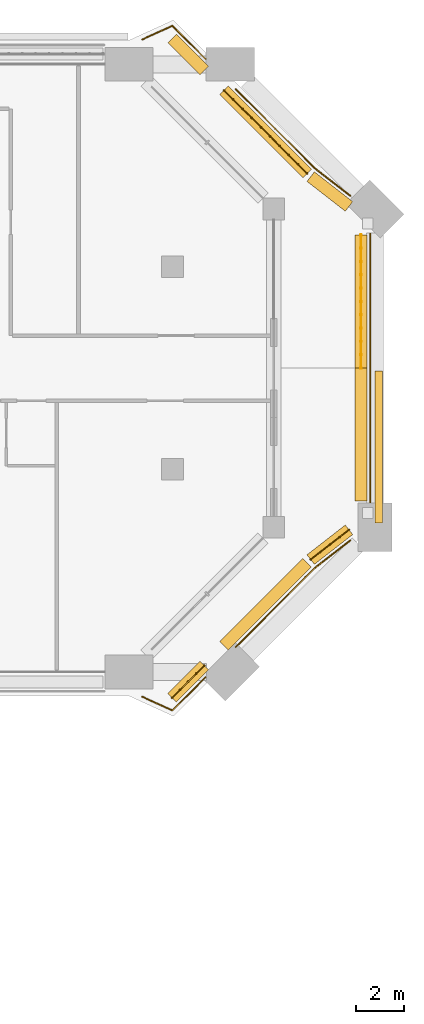
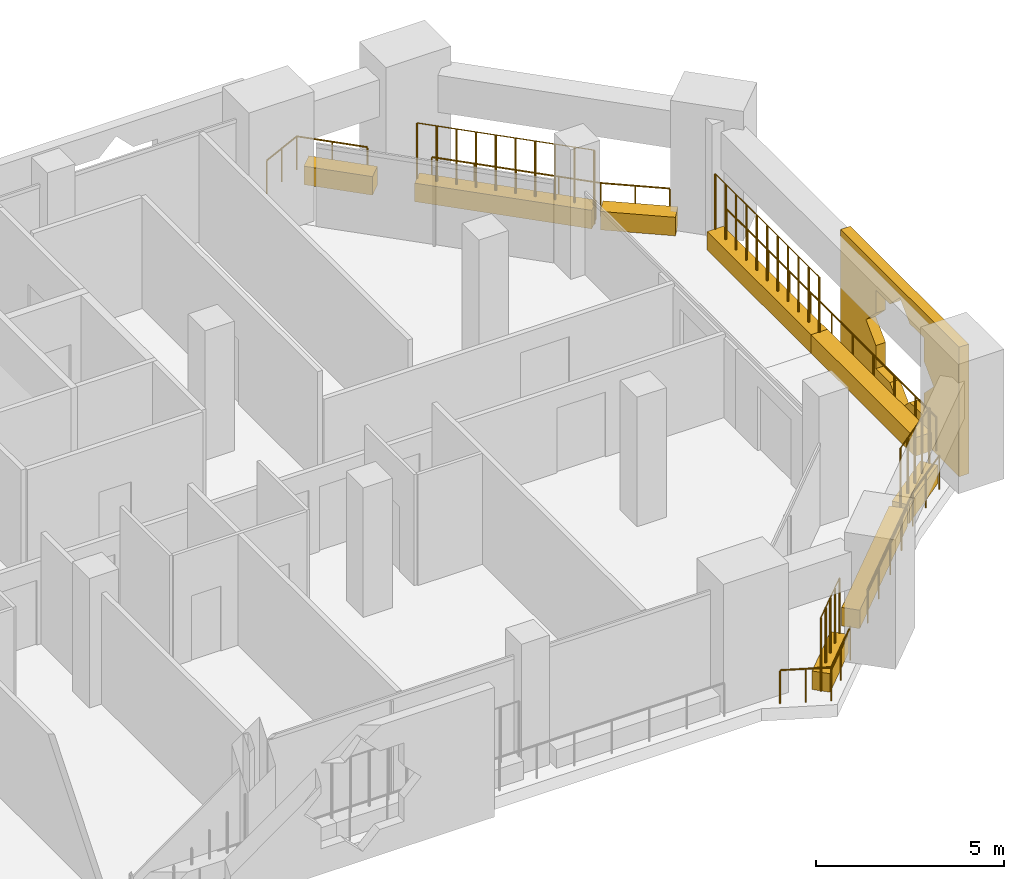
# One storey, part 21 of 21: 9 coverings, 9 railings.
"""IFC4 building model written with IfcOpenShell, lengths in metres."""

from ifc_helpers import new_model, si_unit, direction, frame, origin, origin_2d, place, context, subcontext, project, spatial, polyline, rectangle, circle, outline, extrude, material, material_profile, profile_set, type_object, element, save


model = new_model("IFC4")

# Units and contexts
model_context = context("Model", 3, precision=1e-05, world=origin(), true_north=direction((0.0, 1.0)))
body_context = subcontext(model_context, "Body", "Model", "MODEL_VIEW")
ifc_project = project(units=[si_unit("LENGTHUNIT", "METRE"), si_unit("AREAUNIT", "SQUARE_METRE"), si_unit("VOLUMEUNIT", "CUBIC_METRE"), si_unit("PLANEANGLEUNIT", "RADIAN"), si_unit("MASSUNIT", "GRAM", prefix="KILO")], contexts=[model_context])

# Site, building, storey
site_placement = place(None, origin())
site = spatial("IfcSite", under=ifc_project, at=site_placement, CompositionType="ELEMENT")
building_placement = place(site_placement, origin())
building = spatial("IfcBuilding", under=site, at=building_placement, Name="Kawkab Arch Medical Tower", CompositionType="ELEMENT")
storey_placement = place(building_placement, frame((0.0, 0.0, 234.800048828125)))
storey = spatial("IfcBuildingStorey", under=building, at=storey_placement, Name="L54", CompositionType="ELEMENT", Elevation=234.800048828125)

# Railings
ifc_material_1 = material(Name="Bronze anodised aluminium guard", Category="aluminium")
railing_type_1 = type_object("IfcRailingType", Name="Loggia and terrace guard 1100", PredefinedType="GUARDRAIL", material=ifc_material_1)
railing_1_placement = place(storey_placement, frame((57.548095703125, 1.030029296875, 0.0)))
element("IfcRailing", 1, at=railing_1_placement, inside=storey, type_object=railing_type_1, Name="Guard L54.LOG-01.1.2", PredefinedType="GUARDRAIL", context=body_context, shape_type="SweptSolid", body=[
    extrude(circle(Radius=0.02392578125, at=origin_2d()), frame((0.0, 0.0, 1.076171875), z_axis=(0.910054984483, 0.414487545312, 0.0), x_axis=(-0.414487545312, 0.910054984483, 0.0)), (0.0, 0.0, 1.0), 1.3701171875),
    extrude(circle(Radius=0.02392578125, at=origin_2d()), frame((1.246826171875, 0.56787109375, 1.076171875), z_axis=(0.707106781187, -0.707106781187, 0.0), x_axis=(0.707106781187, 0.707106781187, 0.0)), (0.0, 0.0, 1.0), 1.944580078125),
    extrude(circle(Radius=0.02099609375, at=origin_2d()), origin(), (0.0, 0.0, 1.0), 1.052001953125),
    extrude(circle(Radius=0.02099609375, at=origin_2d()), frame((0.62353515625, 0.283935546875, 0.0)), (0.0, 0.0, 1.0), 1.052001953125),
    extrude(circle(Radius=0.02099609375, at=origin_2d()), frame((1.246826171875, 0.56787109375, 0.0)), (0.0, 0.0, 1.0), 1.052001953125),
    extrude(circle(Radius=0.02099609375, at=origin_2d()), frame((1.934326171875, -0.11962890625, 0.0)), (0.0, 0.0, 1.0), 1.052001953125),
    extrude(circle(Radius=0.02099609375, at=origin_2d()), frame((2.621826171875, -0.80712890625, 0.0)), (0.0, 0.0, 1.0), 1.052001953125),
])
railing_2_placement = place(storey_placement, frame((61.423095703125, -1.030029296875, 0.0)))
element("IfcRailing", 2, at=railing_2_placement, inside=storey, type_object=railing_type_1, Name="Guard L54.LOG-01.1.3", PredefinedType="GUARDRAIL", context=body_context, shape_type="SweptSolid", body=[
    extrude(circle(Radius=0.02392578125, at=origin_2d()), frame((0.0, 0.0, 1.076171875), z_axis=(0.707106781187, -0.707106781187, 0.0), x_axis=(0.707106781187, 0.707106781187, 0.0)), (0.0, 0.0, 1.0), 4.641357421875),
    extrude(circle(Radius=0.02392578125, at=origin_2d()), frame((3.281982421875, -3.281982421875, 1.076171875), z_axis=(0.789203459714, -0.614131825568, 0.0), x_axis=(0.614131825568, 0.789203459714, 0.0)), (0.0, 0.0, 1.0), 1.856201171875),
    extrude(circle(Radius=0.02099609375, at=origin_2d()), origin(), (0.0, 0.0, 1.0), 1.052001953125),
    extrude(circle(Radius=0.02099609375, at=origin_2d()), frame((0.820556640625, -0.820556640625, 0.0)), (0.0, 0.0, 1.0), 1.052001953125),
    extrude(circle(Radius=0.02099609375, at=origin_2d()), frame((1.64111328125, -1.64111328125, 0.0)), (0.0, 0.0, 1.0), 1.052001953125),
    extrude(circle(Radius=0.02099609375, at=origin_2d()), frame((2.46142578125, -2.46142578125, 0.0)), (0.0, 0.0, 1.0), 1.052001953125),
    extrude(circle(Radius=0.02099609375, at=origin_2d()), frame((3.281982421875, -3.281982421875, 0.0)), (0.0, 0.0, 1.0), 1.052001953125),
    extrude(circle(Radius=0.02099609375, at=origin_2d()), frame((4.014404296875, -3.85205078125, 0.0)), (0.0, 0.0, 1.0), 1.052001953125),
    extrude(circle(Radius=0.02099609375, at=origin_2d()), frame((4.746826171875, -4.421875, 0.0)), (0.0, 0.0, 1.0), 1.052001953125),
])
railing_3_placement = place(storey_placement, frame((67.0, -7.030029296875, 0.0)))
element("IfcRailing", 3, at=railing_3_placement, inside=storey, type_object=railing_type_1, Name="Guard L54.LOG-01.1.4", PredefinedType="GUARDRAIL", context=body_context, shape_type="SweptSolid", body=[
    extrude(circle(Radius=0.02392578125, at=origin_2d()), frame((0.0, 0.0, 1.076171875), z_axis=(0.0, -1.0, 0.0), x_axis=(1.0, 0.0, 0.0)), (0.0, 0.0, 1.0), 11.139892578125),
    extrude(circle(Radius=0.02099609375, at=origin_2d()), origin(), (0.0, 0.0, 1.0), 1.052001953125),
    extrude(circle(Radius=0.02099609375, at=origin_2d()), frame((0.0, -1.114013671875, 0.0)), (0.0, 0.0, 1.0), 1.052001953125),
    extrude(circle(Radius=0.02099609375, at=origin_2d()), frame((0.0, -2.22802734375, 0.0)), (0.0, 0.0, 1.0), 1.052001953125),
    extrude(circle(Radius=0.02099609375, at=origin_2d()), frame((0.0, -3.342041015625, 0.0)), (0.0, 0.0, 1.0), 1.052001953125),
    extrude(circle(Radius=0.02099609375, at=origin_2d()), frame((0.0, -4.4560546875, 0.0)), (0.0, 0.0, 1.0), 1.052001953125),
    extrude(circle(Radius=0.02099609375, at=origin_2d()), frame((0.0, -5.56982421875, 0.0)), (0.0, 0.0, 1.0), 1.052001953125),
    extrude(circle(Radius=0.02099609375, at=origin_2d()), frame((0.0, -6.683837890625, 0.0)), (0.0, 0.0, 1.0), 1.052001953125),
    extrude(circle(Radius=0.02099609375, at=origin_2d()), frame((0.0, -7.7978515625, 0.0)), (0.0, 0.0, 1.0), 1.052001953125),
    extrude(circle(Radius=0.02099609375, at=origin_2d()), frame((0.0, -8.911865234375, 0.0)), (0.0, 0.0, 1.0), 1.052001953125),
    extrude(circle(Radius=0.02099609375, at=origin_2d()), frame((0.0, -10.02587890625, 0.0)), (0.0, 0.0, 1.0), 1.052001953125),
    extrude(circle(Radius=0.02099609375, at=origin_2d()), frame((0.0, -11.139892578125, 0.0)), (0.0, 0.0, 1.0), 1.052001953125),
])
railing_4_placement = place(storey_placement, frame((66.169921875, -19.748046875, 0.0)))
element("IfcRailing", 4, at=railing_4_placement, inside=storey, type_object=railing_type_1, Name="Guard L54.LOG-01.1.5", PredefinedType="GUARDRAIL", context=body_context, shape_type="SweptSolid", body=[
    extrude(circle(Radius=0.02392578125, at=origin_2d()), frame((0.0, 0.0, 1.076171875), z_axis=(-0.789203459714, -0.614131825568, 0.0), x_axis=(0.614131825568, -0.789203459714, 0.0)), (0.0, 0.0, 1.0), 1.856201171875),
    extrude(circle(Radius=0.02392578125, at=origin_2d()), frame((-1.46484375, -1.139892578125, 1.076171875), z_axis=(-0.707106781187, -0.707106781187, 0.0), x_axis=(0.707106781187, -0.707106781187, 0.0)), (0.0, 0.0, 1.0), 4.641357421875),
    extrude(circle(Radius=0.02099609375, at=origin_2d()), origin(), (0.0, 0.0, 1.0), 1.052001953125),
    extrude(circle(Radius=0.02099609375, at=origin_2d()), frame((-0.732421875, -0.56982421875, 0.0)), (0.0, 0.0, 1.0), 1.052001953125),
    extrude(circle(Radius=0.02099609375, at=origin_2d()), frame((-1.46484375, -1.139892578125, 0.0)), (0.0, 0.0, 1.0), 1.052001953125),
    extrude(circle(Radius=0.02099609375, at=origin_2d()), frame((-2.285400390625, -1.96044921875, 0.0)), (0.0, 0.0, 1.0), 1.052001953125),
    extrude(circle(Radius=0.02099609375, at=origin_2d()), frame((-3.10595703125, -2.78076171875, 0.0)), (0.0, 0.0, 1.0), 1.052001953125),
    extrude(circle(Radius=0.02099609375, at=origin_2d()), frame((-3.92626953125, -3.601318359375, 0.0)), (0.0, 0.0, 1.0), 1.052001953125),
    extrude(circle(Radius=0.02099609375, at=origin_2d()), frame((-4.746826171875, -4.421875, 0.0)), (0.0, 0.0, 1.0), 1.052001953125),
])
railing_5_placement = place(storey_placement, frame((60.169921875, -25.423095703125, 0.0)))
element("IfcRailing", 5, at=railing_5_placement, inside=storey, type_object=railing_type_1, Name="Guard L54.LOG-01.1.6", PredefinedType="GUARDRAIL", context=body_context, shape_type="SweptSolid", body=[
    extrude(circle(Radius=0.02392578125, at=origin_2d()), frame((0.0, 0.0, 1.076171875), z_axis=(-0.707106781187, -0.707106781187, 0.0), x_axis=(0.707106781187, -0.707106781187, 0.0)), (0.0, 0.0, 1.0), 1.944580078125),
    extrude(circle(Radius=0.02392578125, at=origin_2d()), frame((-1.375, -1.375, 1.076171875), z_axis=(-0.909987760209, 0.4146351122, 0.0), x_axis=(-0.4146351122, -0.909987760209, 0.0)), (0.0, 0.0, 1.0), 1.3701171875),
    extrude(circle(Radius=0.02099609375, at=origin_2d()), origin(), (0.0, 0.0, 1.0), 1.052001953125),
    extrude(circle(Radius=0.02099609375, at=origin_2d()), frame((-0.6875, -0.6875, 0.0)), (0.0, 0.0, 1.0), 1.052001953125),
    extrude(circle(Radius=0.02099609375, at=origin_2d()), frame((-1.375, -1.375, 0.0)), (0.0, 0.0, 1.0), 1.052001953125),
    extrude(circle(Radius=0.02099609375, at=origin_2d()), frame((-1.99853515625, -1.0908203125, 0.0)), (0.0, 0.0, 1.0), 1.052001953125),
    extrude(circle(Radius=0.02099609375, at=origin_2d()), frame((-2.621826171875, -0.806884765625, 0.0)), (0.0, 0.0, 1.0), 1.052001953125),
])

# Coverings
ifc_material_2 = material(Name="Bronze anodised aluminium mashrabiya panel, eight-point star pattern", Category="aluminium")
ifc_material_profile_1 = material_profile(ifc_material_2, outline(polyline([(-3.14990234375, -2.10009765625), (3.14990234375, -2.10009765625), (3.14990234375, 2.10009765625), (-3.14990234375, 2.10009765625), (-3.14990234375, -2.10009765625)]), holes=[polyline([(1.800048828125, 0.0), (1.272705078125, 0.527099609375), (1.272705078125, 1.272705078125), (0.527099609375, 1.272705078125), (0.0, 1.800048828125), (-0.527099609375, 1.272705078125), (-1.272705078125, 1.272705078125), (-1.272705078125, 0.527099609375), (-1.800048828125, 0.0), (-1.272705078125, -0.527099609375), (-1.272705078125, -1.272705078125), (-0.527099609375, -1.272705078125), (0.0, -1.800048828125), (0.527099609375, -1.272705078125), (1.272705078125, -1.272705078125), (1.272705078125, -0.527099609375), (1.800048828125, 0.0)])]), Name="Mashrabiya panel 6300x4200")
ifc_profile_set_1 = profile_set([ifc_material_profile_1], Name="Bronze anodised aluminium mashrabiya panel, eight-point star pattern")
covering_type_1 = type_object("IfcCoveringType", Name="Mashrabiya panel 6300 x 4200", PredefinedType="USERDEFINED", material=ifc_profile_set_1)
covering_1_placement = place(storey_placement, frame((67.199951171875, -15.877685546875, 1.699951171875), z_axis=(1.0, 0.0, 0.0), x_axis=(0.0, 1.0, 0.0)))
element("IfcCovering", 6, at=covering_1_placement, inside=storey, type_object=covering_type_1, Name="Mashrabiya panel L54.LOG-01-01.9", ObjectType="SCREEN", PredefinedType="USERDEFINED", context=body_context, shape_type="SweptSolid", body=[
    extrude(outline(polyline([(-3.14990234375, -2.10009765625), (3.14990234375, -2.10009765625), (3.14990234375, 2.10009765625), (-3.14990234375, 2.10009765625), (-3.14990234375, -2.10009765625)]), holes=[polyline([(1.800048828125, 0.0), (1.272705078125, 0.527099609375), (1.272705078125, 1.272705078125), (0.527099609375, 1.272705078125), (0.0, 1.800048828125), (-0.527099609375, 1.272705078125), (-1.272705078125, 1.272705078125), (-1.272705078125, 0.527099609375), (-1.800048828125, 0.0), (-1.272705078125, -0.527099609375), (-1.272705078125, -1.272705078125), (-0.527099609375, -1.272705078125), (0.0, -1.800048828125), (0.527099609375, -1.272705078125), (1.272705078125, -1.272705078125), (1.272705078125, -0.527099609375), (1.800048828125, 0.0)])]), origin(), (0.0, 0.0, 1.0), 0.300048828125),
])
ifc_material_3 = material(Name="Planting soil in a precast trough", Category="concrete")
ifc_material_profile_2 = material_profile(ifc_material_3, rectangle(XDim=0.5, YDim=0.60009765625, at=origin_2d()), Name="Trough 500x600")
ifc_profile_set_2 = profile_set([ifc_material_profile_2], Name="Planting soil in a precast trough")
covering_type_2 = type_object("IfcCoveringType", Name="Planter trough 500 x 600", PredefinedType="USERDEFINED", material=ifc_profile_set_2)
covering_2_placement = place(storey_placement, frame((58.782958984375, 1.072998046875, 0.300048828125), z_axis=(0.707171336514, -0.707042219965, 0.0), x_axis=(0.707042219965, 0.707171336514, 0.0)))
element("IfcCovering", 7, at=covering_2_placement, inside=storey, type_object=covering_type_2, Name="Planter L54.LOG-01-01.24", ObjectType="PLANTER", PredefinedType="USERDEFINED", context=body_context, shape_type="SweptSolid", body=[
    extrude(rectangle(XDim=0.5, YDim=0.60009765625, at=origin_2d()), origin(), (0.0, 0.0, 1.0), 1.890869140625),
])
covering_3_placement = place(storey_placement, frame((60.93603515625, -1.080078125, 0.300048828125), z_axis=(0.707106781187, -0.707106781187, 0.0), x_axis=(0.707106781187, 0.707106781187, 0.0)))
element("IfcCovering", 8, at=covering_3_placement, inside=storey, type_object=covering_type_2, Name="Planter L54.LOG-01-01.25", ObjectType="PLANTER", PredefinedType="USERDEFINED", context=body_context, shape_type="SweptSolid", body=[
    extrude(rectangle(XDim=0.5, YDim=0.60009765625, at=origin_2d()), origin(), (0.0, 0.0, 1.0), 4.874755859375),
])
covering_4_placement = place(storey_placement, frame((64.531982421875, -4.658935546875, 0.300048828125), z_axis=(0.789143139444, -0.61420933359, 0.0), x_axis=(0.61420933359, 0.789143139444, 0.0)))
element("IfcCovering", 9, at=covering_4_placement, inside=storey, type_object=covering_type_2, Name="Planter L54.LOG-01-01.26", ObjectType="PLANTER", PredefinedType="USERDEFINED", context=body_context, shape_type="SweptSolid", body=[
    extrude(rectangle(XDim=0.5, YDim=0.60009765625, at=origin_2d()), origin(), (0.0, 0.0, 1.0), 2.012451171875),
])
for number, where, z_axis, x_axis, name in (
    (10, (66.6201171875, -7.080078125, 0.300048828125), (0.0, -1.0, 0.0), (1.0, 0.0, 0.0), "Planter L54.LOG-01-01.27"),
    (11, (66.6201171875, -12.60009765625, 0.300048828125), (0.0, -1.0, 0.0), (1.0, 0.0, 0.0), "Planter L54.LOG-01-01.28"),
):
    element("IfcCovering", number, at=place(storey_placement, frame(where, z_axis=z_axis, x_axis=x_axis)), inside=storey, type_object=covering_type_2, Name=name, ObjectType="PLANTER", PredefinedType="USERDEFINED", context=body_context, shape_type="SweptSolid", body=[
        extrude(rectangle(XDim=0.5, YDim=0.60009765625, at=origin_2d()), origin(), (0.0, 0.0, 1.0), 5.52001953125),
    ])
covering_5_placement = place(storey_placement, frame((66.1201171875, -19.304931640625, 0.300048828125), z_axis=(-0.789143139444, -0.61420933359, 0.0), x_axis=(0.61420933359, -0.789143139444, 0.0)))
element("IfcCovering", 12, at=covering_5_placement, inside=storey, type_object=covering_type_2, Name="Planter L54.LOG-01-01.29", ObjectType="PLANTER", PredefinedType="USERDEFINED", context=body_context, shape_type="SweptSolid", body=[
    extrude(rectangle(XDim=0.5, YDim=0.60009765625, at=origin_2d()), origin(), (0.0, 0.0, 1.0), 2.012451171875),
])
covering_6_placement = place(storey_placement, frame((64.383056640625, -20.673095703125, 0.300048828125), z_axis=(-0.707106781187, -0.707106781187, 0.0), x_axis=(0.707106781187, -0.707106781187, 0.0)))
element("IfcCovering", 13, at=covering_6_placement, inside=storey, type_object=covering_type_2, Name="Planter L54.LOG-01-01.30", ObjectType="PLANTER", PredefinedType="USERDEFINED", context=body_context, shape_type="SweptSolid", body=[
    extrude(rectangle(XDim=0.5, YDim=0.60009765625, at=origin_2d()), origin(), (0.0, 0.0, 1.0), 4.874755859375),
])
covering_7_placement = place(storey_placement, frame((60.1201171875, -24.93603515625, 0.300048828125), z_axis=(-0.707171336514, -0.707042219965, 0.0), x_axis=(0.707042219965, -0.707171336514, 0.0)))
element("IfcCovering", 14, at=covering_7_placement, inside=storey, type_object=covering_type_2, Name="Planter L54.LOG-01-01.31", ObjectType="PLANTER", PredefinedType="USERDEFINED", context=body_context, shape_type="SweptSolid", body=[
    extrude(rectangle(XDim=0.5, YDim=0.60009765625, at=origin_2d()), origin(), (0.0, 0.0, 1.0), 1.890869140625),
])

# Railings
ifc_material_4 = material(Name="Bronze anodised aluminium trellis for climbing plants", Category="aluminium")
railing_type_2 = type_object("IfcRailingType", Name="Planting trellis 2400", PredefinedType="USERDEFINED", material=ifc_material_4)
railing_6_placement = place(storey_placement, frame((60.93603515625, -1.080078125, 0.0)))
element("IfcRailing", 15, at=railing_6_placement, inside=storey, type_object=railing_type_2, Name="Planting trellis L54.LOG-01-01.25", ObjectType="TRELLIS", PredefinedType="USERDEFINED", context=body_context, shape_type="SweptSolid", body=[
    extrude(circle(Radius=0.01513671875, at=origin_2d()), frame((0.0, 0.0, 2.384765625), z_axis=(0.707106781187, -0.707106781187, 0.0), x_axis=(0.707106781187, 0.707106781187, 0.0)), (0.0, 0.0, 1.0), 4.874755859375),
    extrude(circle(Radius=0.030029296875, at=origin_2d()), origin(), (0.0, 0.0, 1.0), 2.369873046875),
    extrude(circle(Radius=0.030029296875, at=origin_2d()), frame((0.383056640625, -0.383056640625, 0.0)), (0.0, 0.0, 1.0), 2.369873046875),
    extrude(circle(Radius=0.030029296875, at=origin_2d()), frame((0.76611328125, -0.76611328125, 0.0)), (0.0, 0.0, 1.0), 2.369873046875),
    extrude(circle(Radius=0.030029296875, at=origin_2d()), frame((1.14892578125, -1.14892578125, 0.0)), (0.0, 0.0, 1.0), 2.369873046875),
    extrude(circle(Radius=0.030029296875, at=origin_2d()), frame((1.531982421875, -1.531982421875, 0.0)), (0.0, 0.0, 1.0), 2.369873046875),
    extrude(circle(Radius=0.030029296875, at=origin_2d()), frame((1.9150390625, -1.9150390625, 0.0)), (0.0, 0.0, 1.0), 2.369873046875),
    extrude(circle(Radius=0.030029296875, at=origin_2d()), frame((2.298095703125, -2.298095703125, 0.0)), (0.0, 0.0, 1.0), 2.369873046875),
    extrude(circle(Radius=0.030029296875, at=origin_2d()), frame((2.680908203125, -2.680908203125, 0.0)), (0.0, 0.0, 1.0), 2.369873046875),
    extrude(circle(Radius=0.030029296875, at=origin_2d()), frame((3.06396484375, -3.06396484375, 0.0)), (0.0, 0.0, 1.0), 2.369873046875),
    extrude(circle(Radius=0.030029296875, at=origin_2d()), frame((3.447021484375, -3.447021484375, 0.0)), (0.0, 0.0, 1.0), 2.369873046875),
])
railing_7_placement = place(storey_placement, frame((66.6201171875, -7.080078125, 0.0)))
element("IfcRailing", 16, at=railing_7_placement, inside=storey, type_object=railing_type_2, Name="Planting trellis L54.LOG-01-01.27", ObjectType="TRELLIS", PredefinedType="USERDEFINED", context=body_context, shape_type="SweptSolid", body=[
    extrude(circle(Radius=0.01513671875, at=origin_2d()), frame((0.0, 0.0, 2.384765625), z_axis=(0.0, -1.0, 0.0), x_axis=(1.0, 0.0, 0.0)), (0.0, 0.0, 1.0), 5.52001953125),
    extrude(circle(Radius=0.030029296875, at=origin_2d()), origin(), (0.0, 0.0, 1.0), 2.369873046875),
    extrude(circle(Radius=0.030029296875, at=origin_2d()), frame((0.0, -0.552001953125, 0.0)), (0.0, 0.0, 1.0), 2.369873046875),
    extrude(circle(Radius=0.030029296875, at=origin_2d()), frame((0.0, -1.10400390625, 0.0)), (0.0, 0.0, 1.0), 2.369873046875),
    extrude(circle(Radius=0.030029296875, at=origin_2d()), frame((0.0, -1.656005859375, 0.0)), (0.0, 0.0, 1.0), 2.369873046875),
    extrude(circle(Radius=0.030029296875, at=origin_2d()), frame((0.0, -2.2080078125, 0.0)), (0.0, 0.0, 1.0), 2.369873046875),
    extrude(circle(Radius=0.030029296875, at=origin_2d()), frame((0.0, -2.760009765625, 0.0)), (0.0, 0.0, 1.0), 2.369873046875),
    extrude(circle(Radius=0.030029296875, at=origin_2d()), frame((0.0, -3.31201171875, 0.0)), (0.0, 0.0, 1.0), 2.369873046875),
    extrude(circle(Radius=0.030029296875, at=origin_2d()), frame((0.0, -3.864013671875, 0.0)), (0.0, 0.0, 1.0), 2.369873046875),
    extrude(circle(Radius=0.030029296875, at=origin_2d()), frame((0.0, -4.416015625, 0.0)), (0.0, 0.0, 1.0), 2.369873046875),
    extrude(circle(Radius=0.030029296875, at=origin_2d()), frame((0.0, -4.968017578125, 0.0)), (0.0, 0.0, 1.0), 2.369873046875),
    extrude(circle(Radius=0.030029296875, at=origin_2d()), frame((0.0, -5.52001953125, 0.0)), (0.0, 0.0, 1.0), 2.369873046875),
])
railing_8_placement = place(storey_placement, frame((66.1201171875, -19.304931640625, 0.0)))
element("IfcRailing", 17, at=railing_8_placement, inside=storey, type_object=railing_type_2, Name="Planting trellis L54.LOG-01-01.29", ObjectType="TRELLIS", PredefinedType="USERDEFINED", context=body_context, shape_type="SweptSolid", body=[
    extrude(circle(Radius=0.01513671875, at=origin_2d()), frame((0.0, 0.0, 2.384765625), z_axis=(-0.789143139444, -0.61420933359, 0.0), x_axis=(0.61420933359, -0.789143139444, 0.0)), (0.0, 0.0, 1.0), 2.012451171875),
    extrude(circle(Radius=0.030029296875, at=origin_2d()), origin(), (0.0, 0.0, 1.0), 2.369873046875),
    extrude(circle(Radius=0.030029296875, at=origin_2d()), frame((-0.39697265625, -0.30908203125, 0.0)), (0.0, 0.0, 1.0), 2.369873046875),
    extrude(circle(Radius=0.030029296875, at=origin_2d()), frame((-0.7939453125, -0.6181640625, 0.0)), (0.0, 0.0, 1.0), 2.369873046875),
    extrude(circle(Radius=0.030029296875, at=origin_2d()), frame((-1.191162109375, -0.927001953125, 0.0)), (0.0, 0.0, 1.0), 2.369873046875),
    extrude(circle(Radius=0.030029296875, at=origin_2d()), frame((-1.588134765625, -1.236083984375, 0.0)), (0.0, 0.0, 1.0), 2.369873046875),
])
railing_9_placement = place(storey_placement, frame((60.1201171875, -24.93603515625, 0.0)))
element("IfcRailing", 18, at=railing_9_placement, inside=storey, type_object=railing_type_2, Name="Planting trellis L54.LOG-01-01.31", ObjectType="TRELLIS", PredefinedType="USERDEFINED", context=body_context, shape_type="SweptSolid", body=[
    extrude(circle(Radius=0.01513671875, at=origin_2d()), frame((0.0, 0.0, 2.384765625), z_axis=(-0.707171336514, -0.707042219965, 0.0), x_axis=(0.707042219965, -0.707171336514, 0.0)), (0.0, 0.0, 1.0), 1.890869140625),
    extrude(circle(Radius=0.030029296875, at=origin_2d()), origin(), (0.0, 0.0, 1.0), 2.369873046875),
    extrude(circle(Radius=0.030029296875, at=origin_2d()), frame((-0.334228515625, -0.334228515625, 0.0)), (0.0, 0.0, 1.0), 2.369873046875),
    extrude(circle(Radius=0.030029296875, at=origin_2d()), frame((-0.66845703125, -0.66845703125, 0.0)), (0.0, 0.0, 1.0), 2.369873046875),
    extrude(circle(Radius=0.030029296875, at=origin_2d()), frame((-1.0029296875, -1.002685546875, 0.0)), (0.0, 0.0, 1.0), 2.369873046875),
    extrude(circle(Radius=0.030029296875, at=origin_2d()), frame((-1.337158203125, -1.3369140625, 0.0)), (0.0, 0.0, 1.0), 2.369873046875),
])

save(model, "model.ifc")
